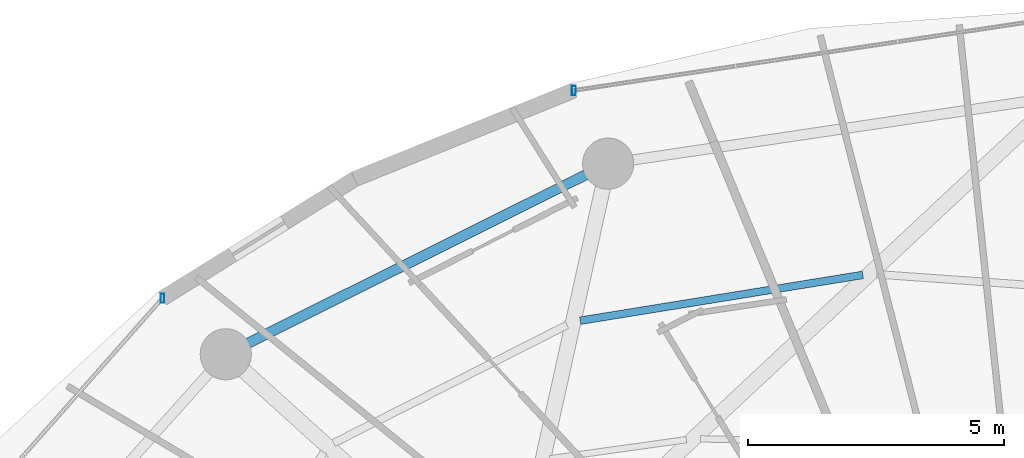
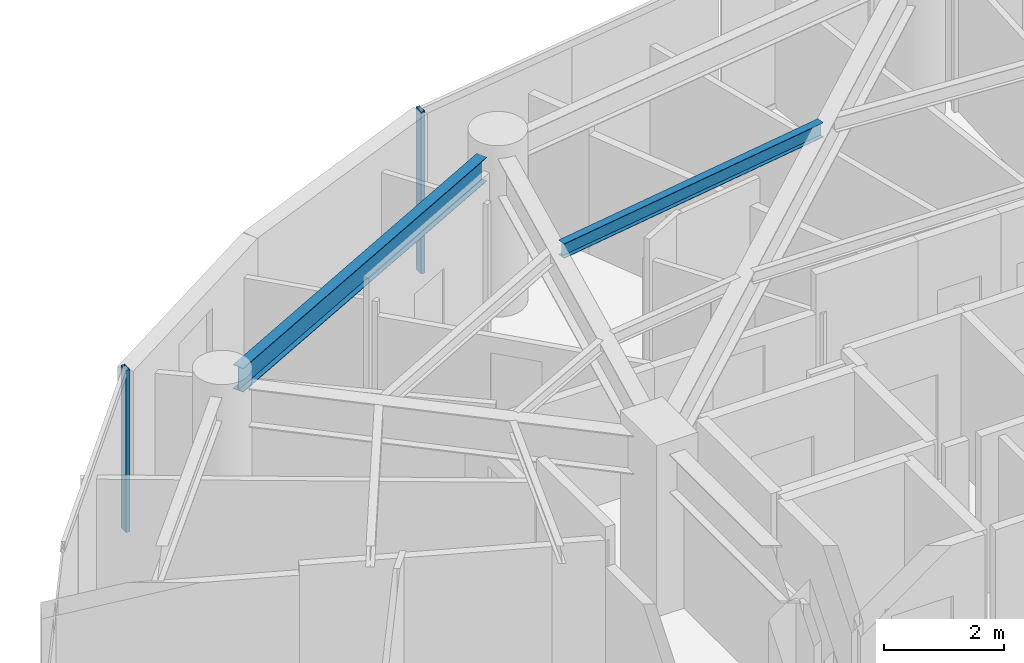
# One storey, part 15 of 28: 2 beams, 2 members, 2 elements without a shape of their own.
"""IFC4 building model written with IfcOpenShell, lengths in metres."""

import ifcopenshell
import ifcopenshell.guid

model = None  # the IFC model being written
_history = None  # IfcOwnerHistory: only IFC2X3 demands one
_inside = {}  # id of a spatial element -> (the spatial element, [elements in it])
_under = {}  # id of a project, library or spatial element -> (it, [spatial elements below it])
_declared = {}  # id of a project -> (the project, [libraries it declares])
_typed = {}  # id of a type object -> (the type object, [elements of that type])
_made_of = {}  # id of a material, layer set ... -> (it, [elements and type objects made of it])


def new_model(schema):
    """Start an empty IFC model of exactly this schema.

    Asked for "IFC4X3", IfcOpenShell would pick the latest addendum, in which some entities
    have other attributes; the version numbers below select the first issue.
    IFC2X3 requires an IfcOwnerHistory on every rooted entity: one is made here for all.
    """
    global model, _history
    if schema == "IFC4X3":
        model = ifcopenshell.file(schema_version=(4, 3, 0, 0))
    else:
        model = ifcopenshell.file(schema=schema)
    _inside.clear()
    _under.clear()
    _declared.clear()
    _typed.clear()
    _made_of.clear()
    _history = None
    if model.schema == "IFC2X3":
        org = make("IfcOrganization", Name="unknown")
        user = make(
            "IfcPersonAndOrganization",
            ThePerson=make("IfcPerson", FamilyName="unknown"),
            TheOrganization=org,
        )
        app = make(
            "IfcApplication",
            ApplicationDeveloper=org,
            Version="unknown",
            ApplicationFullName="unknown",
            ApplicationIdentifier="unknown",
        )
        _history = make(
            "IfcOwnerHistory",
            OwningUser=user,
            OwningApplication=app,
            ChangeAction="ADDED",
            CreationDate=0,
        )
    return model


def make(cls, **values):
    """One entity of the class cls with the attributes given. An attribute that is None is left unset."""
    return model.create_entity(
        cls, **{name: value for name, value in values.items() if value is not None}
    )


def rooted(cls, **values):
    """An entity with a GlobalId (a new one), such as an element, a storey or a relation."""
    return make(cls, GlobalId=ifcopenshell.guid.new(), OwnerHistory=_history, **values)


def si_unit(unit_type, name, prefix=None):
    """IfcSIUnit, for example si_unit("LENGTHUNIT", "METRE", prefix="MILLI")."""
    return make("IfcSIUnit", UnitType=unit_type, Prefix=prefix, Name=name)


def assignment(units):
    """IfcUnitAssignment: the units of a project."""
    return None if units is None else make("IfcUnitAssignment", Units=units)


def point(xyz):
    """IfcCartesianPoint."""
    return None if xyz is None else make("IfcCartesianPoint", Coordinates=xyz)


def direction(xyz):
    """IfcDirection."""
    return None if xyz is None else make("IfcDirection", DirectionRatios=xyz)


def frame(location, z_axis=None, x_axis=None):
    """IfcAxis2Placement3D, a coordinate frame: its origin and axes. An axis left out is left unset."""
    return make(
        "IfcAxis2Placement3D",
        Location=point(location),
        Axis=direction(z_axis),
        RefDirection=direction(x_axis),
    )


def frame_2d(location, x_axis=None):
    """IfcAxis2Placement2D, a coordinate frame in the plane: its origin and x axis."""
    return make(
        "IfcAxis2Placement2D", Location=point(location), RefDirection=direction(x_axis)
    )


def origin():
    """The frame at (0, 0, 0) with its axes left unset."""
    return frame((0.0, 0.0, 0.0))


def origin_2d():
    """The frame at (0, 0) in the plane with its x axis left unset."""
    return frame_2d((0.0, 0.0))


def place(relative_to, where):
    """IfcLocalPlacement: puts the frame where relative to a parent placement (None: the world)."""
    return make(
        "IfcLocalPlacement", PlacementRelTo=relative_to, RelativePlacement=where
    )


def context(
    kind, dimensions, precision=None, world=None, true_north=None, identifier=None
):
    """IfcGeometricRepresentationContext, for example the 3D "Model" context."""
    return make(
        "IfcGeometricRepresentationContext",
        ContextIdentifier=identifier,
        ContextType=kind,
        CoordinateSpaceDimension=dimensions,
        Precision=precision,
        WorldCoordinateSystem=world,
        TrueNorth=true_north,
    )


def subcontext(parent, identifier, kind, view, scale=None):
    """IfcGeometricRepresentationSubContext, for example "Body" below "Model"."""
    return make(
        "IfcGeometricRepresentationSubContext",
        ContextIdentifier=identifier,
        ContextType=kind,
        ParentContext=parent,
        TargetScale=scale,
        TargetView=view,
    )


def project(units=None, contexts=None):
    """IfcProject with its units and contexts."""
    return rooted(
        "IfcProject",
        Name="project",
        RepresentationContexts=contexts,
        UnitsInContext=assignment(units),
    )


def spatial(cls, under=None, at=None, **own):
    """A site, building, storey or space (cls), placed at a placement, below another one or the project."""
    s = rooted(cls, ObjectPlacement=at, **own)
    if under is not None:
        _under.setdefault(under.id(), (under, []))[1].append(s)
    return s


def profile(cls, at=None, kind="AREA", **sizes):
    """A parametric profile (cls). Its sizes go by their IFC names, for example OverallWidth=200.0."""
    return make(cls, ProfileType=kind, Position=at, **sizes)


def hollow_rectangle(**sizes):
    """IfcRectangleHollowProfileDef."""
    return profile("IfcRectangleHollowProfileDef", **sizes)


def i_section(**sizes):
    """IfcIShapeProfileDef."""
    return profile("IfcIShapeProfileDef", **sizes)


def extrude(swept, where, along, depth):
    """IfcExtrudedAreaSolid: the profile swept, set in the frame where, extruded along a direction by depth."""
    return make(
        "IfcExtrudedAreaSolid",
        SweptArea=swept,
        Position=where,
        ExtrudedDirection=direction(along),
        Depth=depth,
    )


def shape(context_of_items, identifier, shape_type, items):
    """IfcShapeRepresentation: the items that make up one representation, for example the "Body"."""
    return make(
        "IfcShapeRepresentation",
        ContextOfItems=context_of_items,
        RepresentationIdentifier=identifier,
        RepresentationType=shape_type,
        Items=items,
    )


def material(Name=None, Category=None):
    """IfcMaterial."""
    return make("IfcMaterial", Name=Name, Category=Category)


def material_profile(
    of_material, cross_section, Name=None, Category=None, Priority=None
):
    """IfcMaterialProfile: a cross section and its material."""
    return make(
        "IfcMaterialProfile",
        Name=Name,
        Material=of_material,
        Profile=cross_section,
        Priority=Priority,
        Category=Category,
    )


def profile_set(profiles, Name=None, composite=None):
    """IfcMaterialProfileSet."""
    return make(
        "IfcMaterialProfileSet",
        Name=Name,
        MaterialProfiles=profiles,
        CompositeProfile=composite,
    )


def made_of(thing, what):
    """Note that an element or type object is made of a material, layer set ...; save() writes the relation."""
    if what is not None:
        _made_of.setdefault(what.id(), (what, []))[1].append(thing)
    return thing


def type_object(cls, material=None, **own):
    """A type object (cls), such as IfcWallType, which elements share."""
    return made_of(rooted(cls, **own), material)


def element(
    cls,
    number,
    at=None,
    inside=None,
    cuts=None,
    type_object=None,
    material=None,
    context=None,
    identifier="Body",
    shape_type=None,
    held_by="IfcProductDefinitionShape",
    body=None,
    shapes=None,
    **own,
):
    """One element of the class cls, such as IfcWall. Its Tag is "e" and its number.

    at: its placement. inside: the storey or other place that contains it. cuts: it is an
    opening in that element (IfcRelVoidsElement). A single representation is given by context,
    identifier, shape_type and body (its items); several are given by shapes. held_by: the class
    of the entity that holds the representations. save() writes the other relations.
    """
    e = rooted(cls, Tag="e%d" % number, ObjectPlacement=at, **own)
    if body is not None:
        shapes = [shape(context, identifier, shape_type, body)]
    if shapes is not None:
        e.Representation = make(held_by, Representations=shapes)
    if inside is not None:
        _inside.setdefault(inside.id(), (inside, []))[1].append(e)
    if cuts is not None:
        rooted(
            "IfcRelVoidsElement", RelatingBuildingElement=cuts, RelatedOpeningElement=e
        )
    if type_object is not None:
        _typed.setdefault(type_object.id(), (type_object, []))[1].append(e)
    return made_of(e, material)


def aggregate(whole, parts):
    """IfcRelAggregates: a whole, such as a stair, and the parts it consists of."""
    return rooted("IfcRelAggregates", RelatingObject=whole, RelatedObjects=parts)


def save(model, path):
    """Write the relations noted so far, then the file.

    IfcRelAggregates (storeys below a building ...), IfcRelContainedInSpatialStructure (elements
    in a storey), IfcRelDefinesByType, IfcRelAssociatesMaterial and IfcRelDeclares: one each for
    every whole, place, type object, material and project.
    """
    for whole, parts in _under.values():
        aggregate(whole, parts)
    for where, things in _inside.values():
        rooted(
            "IfcRelContainedInSpatialStructure",
            RelatedElements=things,
            RelatingStructure=where,
        )
    for kind, things in _typed.values():
        rooted("IfcRelDefinesByType", RelatedObjects=things, RelatingType=kind)
    for what, things in _made_of.values():
        rooted("IfcRelAssociatesMaterial", RelatedObjects=things, RelatingMaterial=what)
    for by, libraries in _declared.values():
        rooted("IfcRelDeclares", RelatingContext=by, RelatedDefinitions=libraries)
    model.write(path)


model = new_model("IFC4")

# Units and contexts
model_context = context("Model", 3, precision=1e-05, world=origin(), true_north=direction((0.0, 1.0)))
body_context = subcontext(model_context, "Body", "Model", "MODEL_VIEW")
ifc_project = project(units=[si_unit("LENGTHUNIT", "METRE"), si_unit("AREAUNIT", "SQUARE_METRE"), si_unit("VOLUMEUNIT", "CUBIC_METRE"), si_unit("PLANEANGLEUNIT", "RADIAN"), si_unit("MASSUNIT", "GRAM", prefix="KILO")], contexts=[model_context])

# Site, building, storey
site_placement = place(None, origin())
site = spatial("IfcSite", under=ifc_project, at=site_placement, CompositionType="ELEMENT")
building_placement = place(site_placement, origin())
building = spatial("IfcBuilding", under=site, at=building_placement, Name="Vorneva Point Tower", CompositionType="ELEMENT")
storey_placement = place(building_placement, frame((0.0, 0.0, 146.60009765625)))
storey = spatial("IfcBuildingStorey", under=building, at=storey_placement, Name="L39", CompositionType="ELEMENT", Elevation=146.60009765625)

# Beams
ifc_material_1 = material(Name="Steel S355", Category="steel")
ifc_material_profile_1 = material_profile(ifc_material_1, i_section(OverallWidth=0.14892578125, OverallDepth=0.298095703125, WebThickness=0.005615234375, FlangeThickness=0.008056640625, at=origin_2d()), Name="30B1")
ifc_profile_set_1 = profile_set([ifc_material_profile_1], Name="Steel S355")
beam_type_1 = type_object("IfcBeamType", Name="BM-JST-30B1", PredefinedType="JOIST", material=ifc_profile_set_1)
beam_1_placement = place(storey_placement, frame((34.159423828125, 39.714599609375, 3.0908203125), z_axis=(-0.987113669352, -0.160020635475, 0.0), x_axis=(0.160020635475, -0.987113669352, 0.0)))
element("IfcBeam", 1, at=beam_1_placement, inside=storey, type_object=beam_type_1, Name="L39 Secondary Floor Beam 1.05", PredefinedType="JOIST", context=body_context, shape_type="SweptSolid", body=[
    extrude(i_section(OverallWidth=0.14892578125, OverallDepth=0.298095703125, WebThickness=0.005615234375, FlangeThickness=0.008056640625, at=origin_2d()), origin(), (0.0, 0.0, 1.0), 5.599365234375),
])
ifc_material_profile_2 = material_profile(ifc_material_1, i_section(OverallWidth=0.199951171875, OverallDepth=0.491943359375, WebThickness=0.0087890625, FlangeThickness=0.011962890625, at=origin_2d()), Name="50B1")
ifc_profile_set_2 = profile_set([ifc_material_profile_2], Name="Steel S355")
beam_type_2 = type_object("IfcBeamType", Name="BM-SPN-50B1", PredefinedType="SPANDREL", material=ifc_profile_set_2)
beam_2_placement = place(storey_placement, frame((28.7451171875, 41.67431640625, 2.993896484375), z_axis=(-0.894929061397, -0.446208443518, 0.0), x_axis=(0.446208443518, -0.894929061397, 0.0)))
element("IfcBeam", 2, at=beam_2_placement, inside=storey, type_object=beam_type_2, Name="L39 Perimeter Spandrel Ring Beam 06", PredefinedType="SPANDREL", context=body_context, shape_type="SweptSolid", body=[
    extrude(i_section(OverallWidth=0.199951171875, OverallDepth=0.491943359375, WebThickness=0.0087890625, FlangeThickness=0.011962890625, at=origin_2d()), origin(), (0.0, 0.0, 1.0), 7.385986328125),
])

# Curtain wall, member
ifc_material_2 = material(Name="Pale anodised aluminium", Category="aluminium")
curtain_wall_type = type_object("IfcCurtainWallType", Name="CW-RES-SYS", PredefinedType="NOTDEFINED", material=ifc_material_2)
curtain_wall_1_placement = place(storey_placement, origin())
curtain_wall_1 = element("IfcCurtainWall", 3, at=curtain_wall_1_placement, inside=storey, type_object=curtain_wall_type, Name="L39 Unitised Curtain Wall CW-L39-R01", PredefinedType="NOTDEFINED")
ifc_material_profile_3 = material_profile(ifc_material_2, hollow_rectangle(XDim=0.074951171875, YDim=0.179931640625, WallThickness=0.00390625, at=origin_2d()), Name="AL-MUL 180x75x4")
ifc_profile_set_3 = profile_set([ifc_material_profile_3], Name="Pale anodised aluminium")
member_type = type_object("IfcMemberType", Name="CW-MUL-180", PredefinedType="MULLION", material=ifc_profile_set_3)
member_1_placement = place(storey_placement, frame((28.509521484375, 43.32275390625, -0.0400390625), z_axis=(0.0, 0.0, 1.0), x_axis=(1.0, 0.0, 0.0)))
member_1 = element("IfcMember", 4, at=member_1_placement, type_object=member_type, Name="CW-L39-R01 Mullion 05", PredefinedType="MULLION", context=body_context, shape_type="SweptSolid", body=[
    extrude(hollow_rectangle(XDim=0.074951171875, YDim=0.179931640625, WallThickness=0.00390625, at=origin_2d()), origin(), (0.0, 0.0, 1.0), 3.31005859375),
])
aggregate(curtain_wall_1, [member_1])

curtain_wall_2_placement = place(storey_placement, origin())
curtain_wall_2 = element("IfcCurtainWall", 5, at=curtain_wall_2_placement, inside=storey, type_object=curtain_wall_type, Name="L39 Unitised Curtain Wall CW-L39-R02", PredefinedType="NOTDEFINED")
member_2_placement = place(storey_placement, frame((20.4638671875, 39.25830078125, -0.0400390625), z_axis=(0.0, 0.0, 1.0), x_axis=(1.0, 0.0, 0.0)))
member_2 = element("IfcMember", 6, at=member_2_placement, type_object=member_type, Name="CW-L39-R02 Mullion 01", PredefinedType="MULLION", context=body_context, shape_type="SweptSolid", body=[
    extrude(hollow_rectangle(XDim=0.074951171875, YDim=0.179931640625, WallThickness=0.00390625, at=origin_2d()), origin(), (0.0, 0.0, 1.0), 3.31005859375),
])
aggregate(curtain_wall_2, [member_2])

save(model, "model.ifc")
